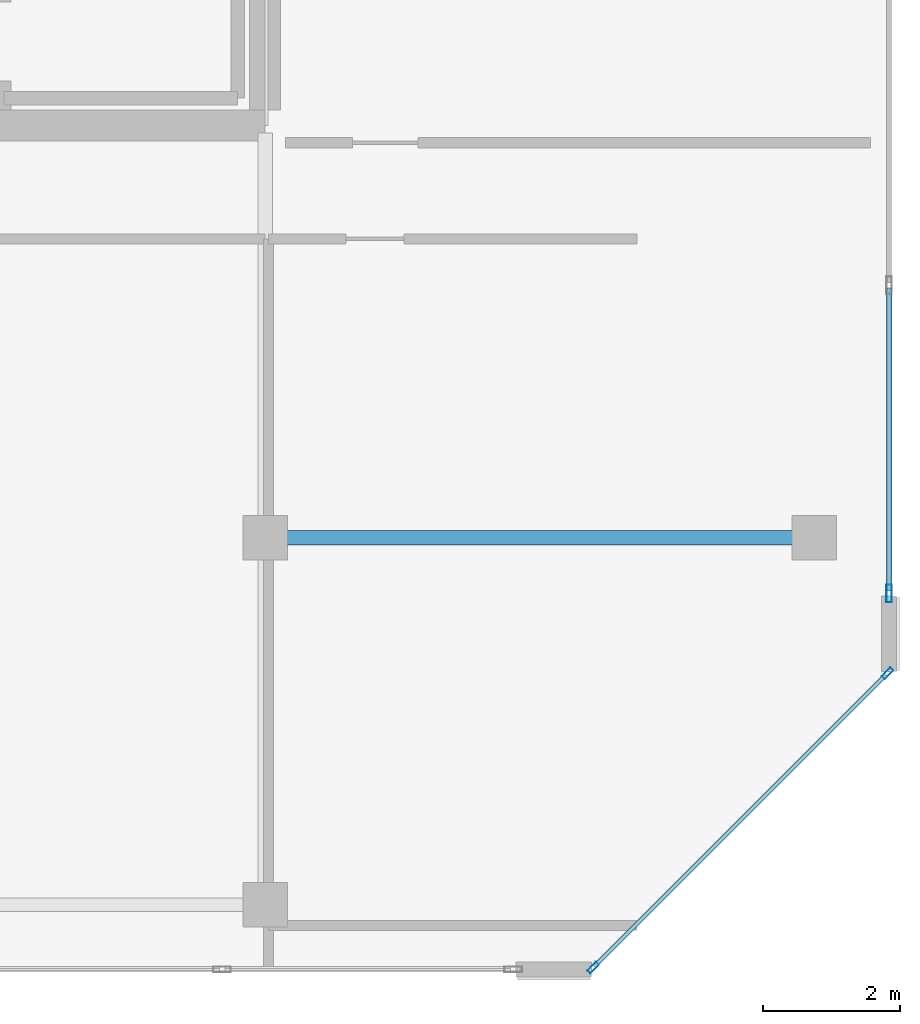
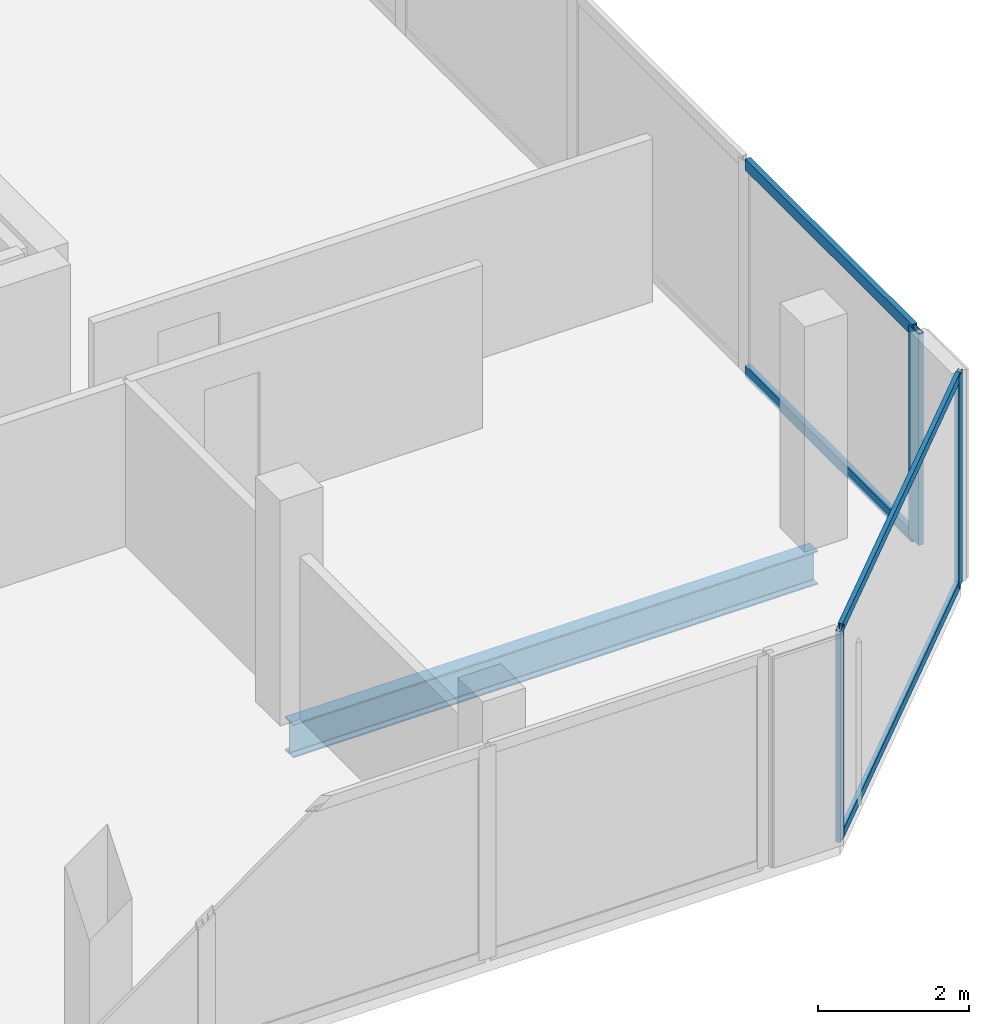
# One storey, part 17 of 30: 7 members, 1 beam, 2 elements without a shape of their own.
"""IFC4 building model written with IfcOpenShell, lengths in metres."""

from ifc_helpers import new_model, si_unit, direction, frame, origin, origin_2d, place, context, subcontext, project, spatial, hollow_rectangle, i_section, extrude, material, layer, layer_set, material_profile, profile_set, type_object, element, aggregate, save


model = new_model("IFC4")

# Units and contexts
model_context = context("Model", 3, precision=1e-05, world=origin(), true_north=direction((0.0, 1.0)))
body_context = subcontext(model_context, "Body", "Model", "MODEL_VIEW")
ifc_project = project(units=[si_unit("LENGTHUNIT", "METRE"), si_unit("AREAUNIT", "SQUARE_METRE"), si_unit("VOLUMEUNIT", "CUBIC_METRE"), si_unit("PLANEANGLEUNIT", "RADIAN"), si_unit("MASSUNIT", "GRAM", prefix="KILO")], contexts=[model_context])

# Site, building, storey
site_placement = place(None, origin())
site = spatial("IfcSite", under=ifc_project, at=site_placement, CompositionType="ELEMENT")
building_placement = place(site_placement, origin())
building = spatial("IfcBuilding", under=site, at=building_placement, Name="Tanjung Sevakor Pilgrim Tower", CompositionType="ELEMENT")
storey_placement = place(building_placement, frame((0.0, 0.0, 253.43994140625)))
storey = spatial("IfcBuildingStorey", under=building, at=storey_placement, Name="L71", CompositionType="ELEMENT", Elevation=253.43994140625)

# Beam
ifc_material_1 = material(Name="Steel S355J2", Category="steel")
ifc_material_profile_1 = material_profile(ifc_material_1, i_section(OverallWidth=0.2119140625, OverallDepth=0.54443359375, WebThickness=0.0126953125, FlangeThickness=0.021240234375, FilletRadius=0.0126953125, at=origin_2d()))
ifc_profile_set_1 = profile_set([ifc_material_profile_1], Name="Steel S355J2")
beam_type = type_object("IfcBeamType", Name="BM-B-G5-UB_533x210x122", PredefinedType="BEAM", material=ifc_profile_set_1)
beam_placement = place(storey_placement, frame((90.0, 18.60009765625, -0.4921875), z_axis=(1.0, 0.0, 0.0), x_axis=(0.0, 1.0, 0.0)))
element("IfcBeam", 1, at=beam_placement, inside=storey, type_object=beam_type, Name="L71 East Peak Wing Girder Y18.6", PredefinedType="BEAM", context=body_context, shape_type="SweptSolid", body=[
    extrude(i_section(OverallWidth=0.2119140625, OverallDepth=0.54443359375, WebThickness=0.0126953125, FlangeThickness=0.021240234375, FilletRadius=0.0126953125, at=origin_2d()), origin(), (0.0, 0.0, 1.0), 8.0),
])

# Curtain wall, members
ifc_material_2 = material(Name="Aluminium 6063-T6 and Low-E Glass", Category="aluminium")
ifc_layer_1 = layer(ifc_material_2, 0.179931640625)
ifc_layer_set_1 = layer_set([ifc_layer_1], Name="CW-SYS-CHAM")
curtain_wall_type_1 = type_object("IfcCurtainWallType", Name="CW-SYS-CHAM", PredefinedType="NOTDEFINED", material=ifc_layer_set_1)
curtain_wall_1_placement = place(storey_placement, origin())
curtain_wall_1 = element("IfcCurtainWall", 2, at=curtain_wall_1_placement, inside=storey, type_object=curtain_wall_type_1, Name="L71 Curtain Wall CW-CHM-L71-EAST-1", PredefinedType="NOTDEFINED")
ifc_material_3 = material(Name="Aluminium 6063-T6", Category="aluminium")
ifc_material_profile_2 = material_profile(ifc_material_3, hollow_rectangle(XDim=0.06494140625, YDim=0.179931640625, WallThickness=0.00390625, at=origin_2d()))
ifc_profile_set_2 = profile_set([ifc_material_profile_2], Name="Aluminium 6063-T6")
member_type_1 = type_object("IfcMemberType", Name="TYPE-CWM-1", PredefinedType="MULLION", material=ifc_profile_set_2)
member_1_placement = place(storey_placement, frame((94.77734375, 12.3330078125, 0.0), z_axis=(0.0, 0.0, 1.0), x_axis=(-0.707106781187, 0.707106781187, 0.0)))
member_1 = element("IfcMember", 3, at=member_1_placement, type_object=member_type_1, Name="CW-CHM mullion 1", PredefinedType="MULLION", context=body_context, shape_type="SweptSolid", body=[
    extrude(hollow_rectangle(XDim=0.06494140625, YDim=0.179931640625, WallThickness=0.00390625, at=origin_2d()), origin(), (0.0, 0.0, 1.0), 3.41015625),
])
member_2_placement = place(storey_placement, frame((99.067138671875, 16.62255859375, 0.0), z_axis=(0.0, 0.0, 1.0), x_axis=(-0.707106781187, 0.707106781187, 0.0)))
member_2 = element("IfcMember", 4, at=member_2_placement, type_object=member_type_1, Name="CW-CHM mullion 2", PredefinedType="MULLION", context=body_context, shape_type="SweptSolid", body=[
    extrude(hollow_rectangle(XDim=0.06494140625, YDim=0.179931640625, WallThickness=0.00390625, at=origin_2d()), origin(), (0.0, 0.0, 1.0), 3.41015625),
])

# Curtain wall, member
ifc_material_4 = material(Name="Aluminium 6063-T6 and Low-E Glass", Category="aluminium")
ifc_layer_2 = layer(ifc_material_4, 0.219970703125)
ifc_layer_set_2 = layer_set([ifc_layer_2], Name="CW-SYS-CRNE")
curtain_wall_type_2 = type_object("IfcCurtainWallType", Name="CW-SYS-CRNE", PredefinedType="NOTDEFINED", material=ifc_layer_set_2)
curtain_wall_2_placement = place(storey_placement, origin())
curtain_wall_2 = element("IfcCurtainWall", 5, at=curtain_wall_2_placement, inside=storey, type_object=curtain_wall_type_2, Name="L71 Curtain Wall CW-CRN-L71-EAST-2-1", PredefinedType="NOTDEFINED")
ifc_material_5 = material(Name="Aluminium 6063-T6", Category="aluminium")
ifc_material_profile_3 = material_profile(ifc_material_5, hollow_rectangle(XDim=0.080078125, YDim=0.260009765625, WallThickness=0.0048828125, at=origin_2d()))
ifc_profile_set_3 = profile_set([ifc_material_profile_3], Name="Aluminium 6063-T6")
member_type_2 = type_object("IfcMemberType", Name="TYPE-CWM-3", PredefinedType="MULLION", material=ifc_profile_set_3)
member_3_placement = place(storey_placement, frame((99.090087890625, 17.78564453125, 0.0), z_axis=(0.0, 0.0, 1.0), x_axis=(-1.0, 0.0, 0.0)))
member_3 = element("IfcMember", 6, at=member_3_placement, type_object=member_type_2, Name="CW-CRE mullion 1", PredefinedType="MULLION", context=body_context, shape_type="SweptSolid", body=[
    extrude(hollow_rectangle(XDim=0.080078125, YDim=0.260009765625, WallThickness=0.0048828125, at=origin_2d()), origin(), (0.0, 0.0, 1.0), 3.41015625),
])

# Member
ifc_material_6 = material(Name="Aluminium 6063-T6", Category="aluminium")
ifc_material_profile_4 = material_profile(ifc_material_6, hollow_rectangle(XDim=0.06494140625, YDim=0.139892578125, WallThickness=0.00390625, at=origin_2d()))
ifc_profile_set_4 = profile_set([ifc_material_profile_4], Name="Aluminium 6063-T6")
member_type_3 = type_object("IfcMemberType", Name="TYPE-CWT-1", PredefinedType="USERDEFINED", material=ifc_profile_set_4)
member_4_placement = place(storey_placement, frame((94.80029296875, 12.35595703125, 0.032470703125), z_axis=(0.707106781187, 0.707106781187, 0.0), x_axis=(-0.707106781187, 0.707106781187, 0.0)))
member_4 = element("IfcMember", 7, at=member_4_placement, type_object=member_type_3, Name="CW-CHM transom 1.1", ObjectType="TRANSOM", PredefinedType="USERDEFINED", context=body_context, shape_type="SweptSolid", body=[
    extrude(hollow_rectangle(XDim=0.06494140625, YDim=0.139892578125, WallThickness=0.00390625, at=origin_2d()), origin(), (0.0, 0.0, 1.0), 6.00146484375),
])

member_5_placement = place(storey_placement, frame((94.80029296875, 12.35595703125, 3.37744140625), z_axis=(0.707106781187, 0.707106781187, 0.0), x_axis=(-0.707106781187, 0.707106781187, 0.0)))
member_5 = element("IfcMember", 8, at=member_5_placement, type_object=member_type_3, Name="CW-CHM transom 1.2", ObjectType="TRANSOM", PredefinedType="USERDEFINED", context=body_context, shape_type="SweptSolid", body=[
    extrude(hollow_rectangle(XDim=0.06494140625, YDim=0.139892578125, WallThickness=0.00390625, at=origin_2d()), origin(), (0.0, 0.0, 1.0), 6.00146484375),
])

aggregate(curtain_wall_1, [member_1, member_2, member_4, member_5])

ifc_material_7 = material(Name="Aluminium 6063-T6", Category="aluminium")
ifc_material_profile_5 = material_profile(ifc_material_7, hollow_rectangle(XDim=0.080078125, YDim=0.179931640625, WallThickness=0.0048828125, at=origin_2d()))
ifc_profile_set_5 = profile_set([ifc_material_profile_5], Name="Aluminium 6063-T6")
member_type_4 = type_object("IfcMemberType", Name="TYPE-CWT-3", PredefinedType="USERDEFINED", material=ifc_profile_set_5)
member_6_placement = place(storey_placement, frame((99.090087890625, 17.82568359375, 0.0400390625), z_axis=(0.0, 1.0, 0.0), x_axis=(-1.0, 0.0, 0.0)))
member_6 = element("IfcMember", 9, at=member_6_placement, type_object=member_type_4, Name="CW-CRE transom 1.1", ObjectType="TRANSOM", PredefinedType="USERDEFINED", context=body_context, shape_type="SweptSolid", body=[
    extrude(hollow_rectangle(XDim=0.080078125, YDim=0.179931640625, WallThickness=0.0048828125, at=origin_2d()), origin(), (0.0, 0.0, 1.0), 4.40966796875),
])

member_7_placement = place(storey_placement, frame((99.090087890625, 17.82568359375, 3.3701171875), z_axis=(0.0, 1.0, 0.0), x_axis=(-1.0, 0.0, 0.0)))
member_7 = element("IfcMember", 10, at=member_7_placement, type_object=member_type_4, Name="CW-CRE transom 1.2", ObjectType="TRANSOM", PredefinedType="USERDEFINED", context=body_context, shape_type="SweptSolid", body=[
    extrude(hollow_rectangle(XDim=0.080078125, YDim=0.179931640625, WallThickness=0.0048828125, at=origin_2d()), origin(), (0.0, 0.0, 1.0), 4.40966796875),
])

aggregate(curtain_wall_2, [member_3, member_6, member_7])

save(model, "model.ifc")
